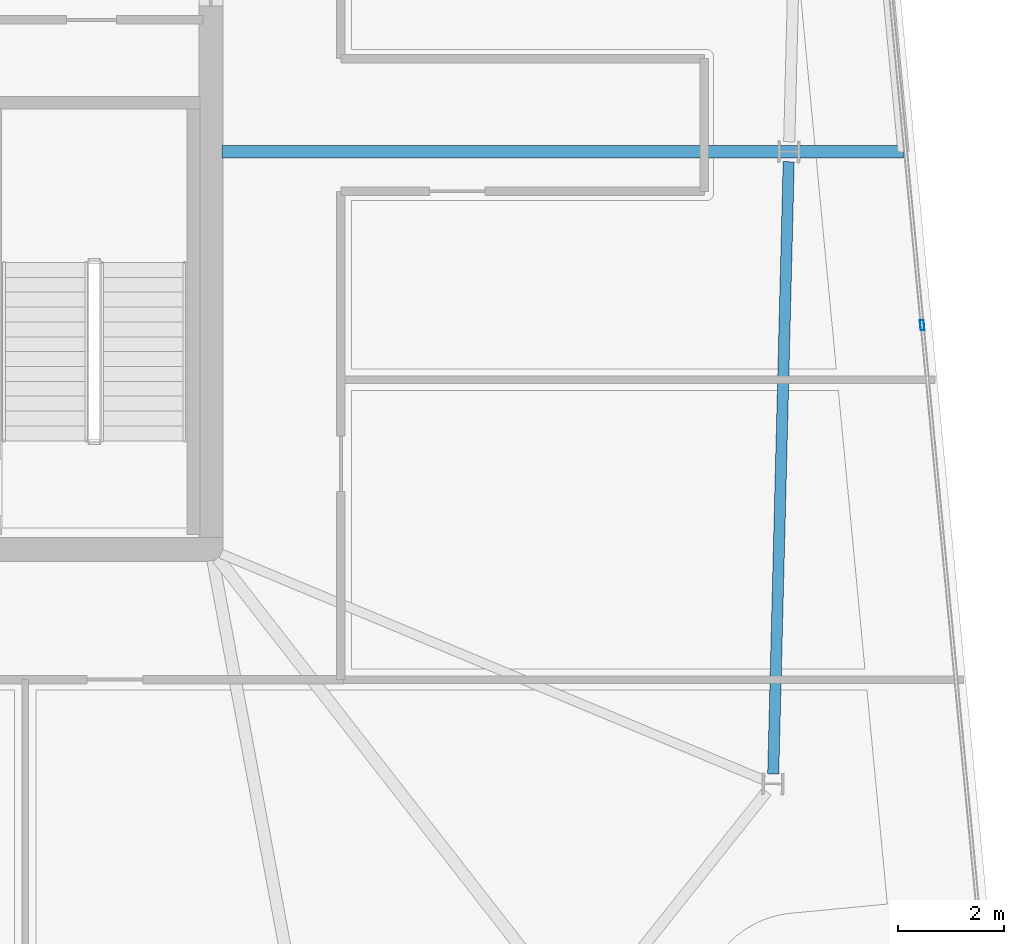
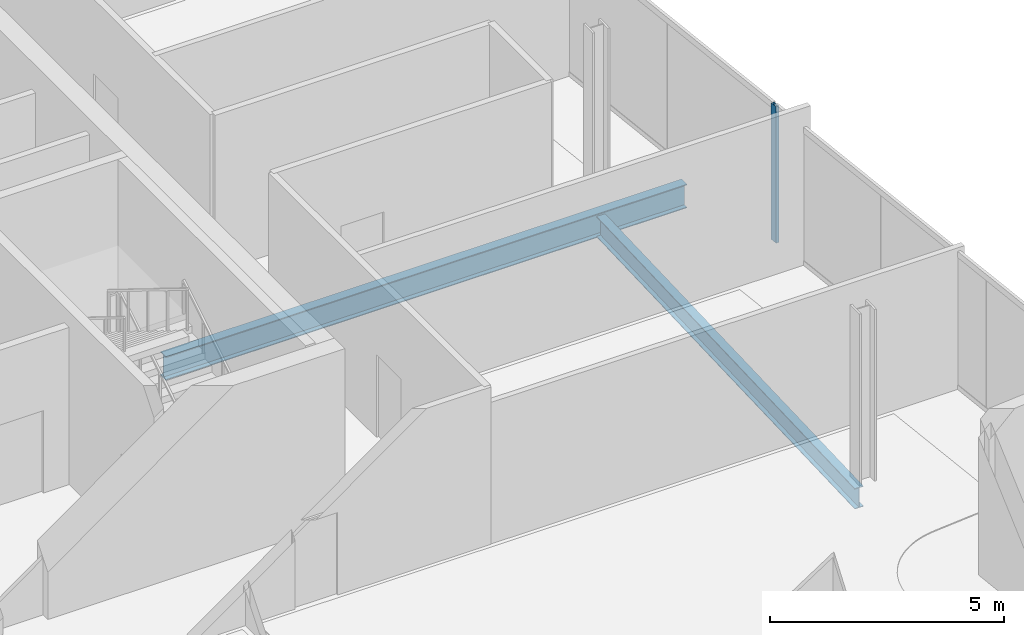
# One storey, part 10 of 24: 2 beams, 1 member, 1 element without a shape of its own.
"""IFC4 building model written with IfcOpenShell, lengths in metres."""

from ifc_helpers import new_model, si_unit, direction, frame, origin, origin_2d, place, context, subcontext, project, spatial, hollow_rectangle, i_section, extrude, material, material_profile, profile_set, type_object, element, aggregate, save


model = new_model("IFC4")

# Units and contexts
model_context = context("Model", 3, precision=1e-05, world=origin(), true_north=direction((0.0, 1.0)))
body_context = subcontext(model_context, "Body", "Model", "MODEL_VIEW")
ifc_project = project(units=[si_unit("LENGTHUNIT", "METRE"), si_unit("AREAUNIT", "SQUARE_METRE"), si_unit("VOLUMEUNIT", "CUBIC_METRE"), si_unit("PLANEANGLEUNIT", "RADIAN"), si_unit("MASSUNIT", "GRAM", prefix="KILO")], contexts=[model_context])

# Site, building, storey
site_placement = place(None, origin())
site = spatial("IfcSite", under=ifc_project, at=site_placement, CompositionType="ELEMENT")
building_placement = place(site_placement, origin())
building = spatial("IfcBuilding", under=site, at=building_placement, Name="Haldenkirk Collegiate Tower", CompositionType="ELEMENT")
storey_placement = place(building_placement, frame((0.0, 0.0, 347.699951171875)))
storey = spatial("IfcBuildingStorey", under=building, at=storey_placement, Name="L88", CompositionType="ELEMENT", Elevation=347.699951171875)

# Beams
ifc_material_1 = material(Name="Steel ASTM A992 Grade 50", Category="steel")
ifc_material_profile_1 = material_profile(ifc_material_1, i_section(OverallWidth=0.22998046875, OverallDepth=0.616943359375, WebThickness=0.01318359375, FlangeThickness=0.022216796875, at=origin_2d()), Name="W24X94")
ifc_profile_set_1 = profile_set([ifc_material_profile_1], Name="Steel ASTM A992 Grade 50")
beam_type_1 = type_object("IfcBeamType", Name="BM-GIRDER-W24X94", PredefinedType="BEAM", material=ifc_profile_set_1)
beam_1_placement = place(storey_placement, frame((58.052490234375, 25.496337890625, -0.62841796875), z_axis=(-1.0, 0.0, 0.0), x_axis=(0.0, -1.0, 0.0)))
element("IfcBeam", 1, at=beam_1_placement, inside=storey, type_object=beam_type_1, Name="L88 primary floor girder 06", PredefinedType="BEAM", context=body_context, shape_type="SweptSolid", body=[
    extrude(i_section(OverallWidth=0.22998046875, OverallDepth=0.616943359375, WebThickness=0.01318359375, FlangeThickness=0.022216796875, at=origin_2d()), origin(), (0.0, 0.0, 1.0), 12.847412109375),
])
ifc_material_profile_2 = material_profile(ifc_material_1, i_section(OverallWidth=0.2099609375, OverallDepth=0.537109375, WebThickness=0.010986328125, FlangeThickness=0.017333984375, at=origin_2d()), Name="W21X68")
ifc_profile_set_2 = profile_set([ifc_material_profile_2], Name="Steel ASTM A992 Grade 50")
beam_type_2 = type_object("IfcBeamType", Name="BM-SPANDREL-W21X68", PredefinedType="SPANDREL", material=ifc_profile_set_2)
beam_2_placement = place(storey_placement, frame((55.596923828125, 13.772216796875, -0.58837890625), z_axis=(0.025302458902, 0.999679841536, 0.0), x_axis=(-0.999679841536, 0.025302458902, 0.0)))
element("IfcBeam", 2, at=beam_2_placement, inside=storey, type_object=beam_type_2, Name="L88 perimeter spandrel beam 02", PredefinedType="SPANDREL", context=body_context, shape_type="SweptSolid", body=[
    extrude(i_section(OverallWidth=0.2099609375, OverallDepth=0.537109375, WebThickness=0.010986328125, FlangeThickness=0.017333984375, at=origin_2d()), origin(), (0.0, 0.0, 1.0), 11.5400390625),
])

# Curtain wall, member
ifc_material_2 = material(Name="Anodised architectural bronze aluminium", Category="aluminium")
curtain_wall_type = type_object("IfcCurtainWallType", Name="CW-SYS2-CONCAVE", PredefinedType="USERDEFINED", material=ifc_material_2)
curtain_wall_placement = place(storey_placement, origin())
curtain_wall = element("IfcCurtainWall", 3, at=curtain_wall_placement, inside=storey, type_object=curtain_wall_type, Name="L88 South concave recessed bronze-anodised curtain wall", ObjectType="UNITISED CURTAIN WALL", PredefinedType="USERDEFINED")
ifc_material_profile_3 = material_profile(ifc_material_2, hollow_rectangle(XDim=0.074951171875, YDim=0.18994140625, WallThickness=0.0048828125, at=origin_2d()), Name="CW-MUL-02")
ifc_profile_set_3 = profile_set([ifc_material_profile_3], Name="Anodised architectural bronze aluminium")
member_type = type_object("IfcMemberType", Name="CW-MUL-02", PredefinedType="MULLION", material=ifc_profile_set_3)
member_placement = place(storey_placement, frame((58.404541015625, 22.2275390625, 0.0), z_axis=(0.0, 0.0, 1.0), x_axis=(0.995479722207, 0.094974326396, 0.0)))
member = element("IfcMember", 4, at=member_placement, type_object=member_type, Name="CW-02 mullion 3", PredefinedType="MULLION", context=body_context, shape_type="SweptSolid", body=[
    extrude(hollow_rectangle(XDim=0.074951171875, YDim=0.18994140625, WallThickness=0.0048828125, at=origin_2d()), origin(), (0.0, 0.0, 1.0), 3.55810546875),
])
aggregate(curtain_wall, [member])

save(model, "model.ifc")
